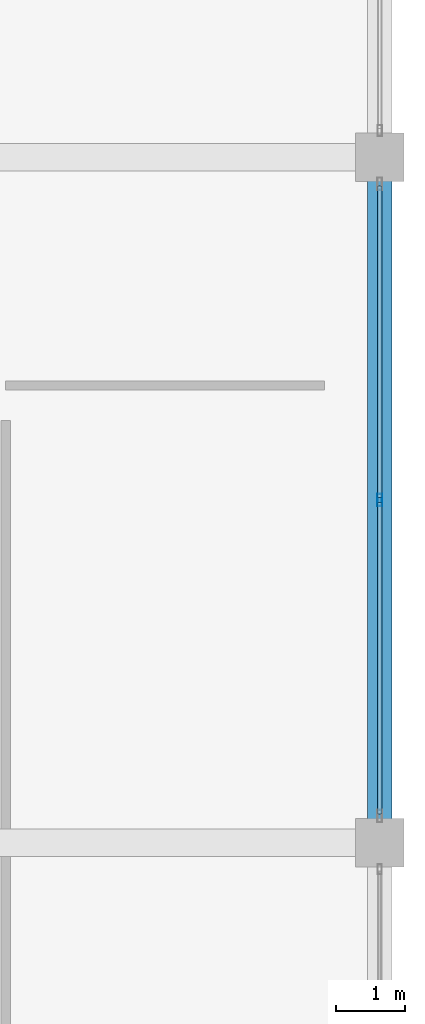
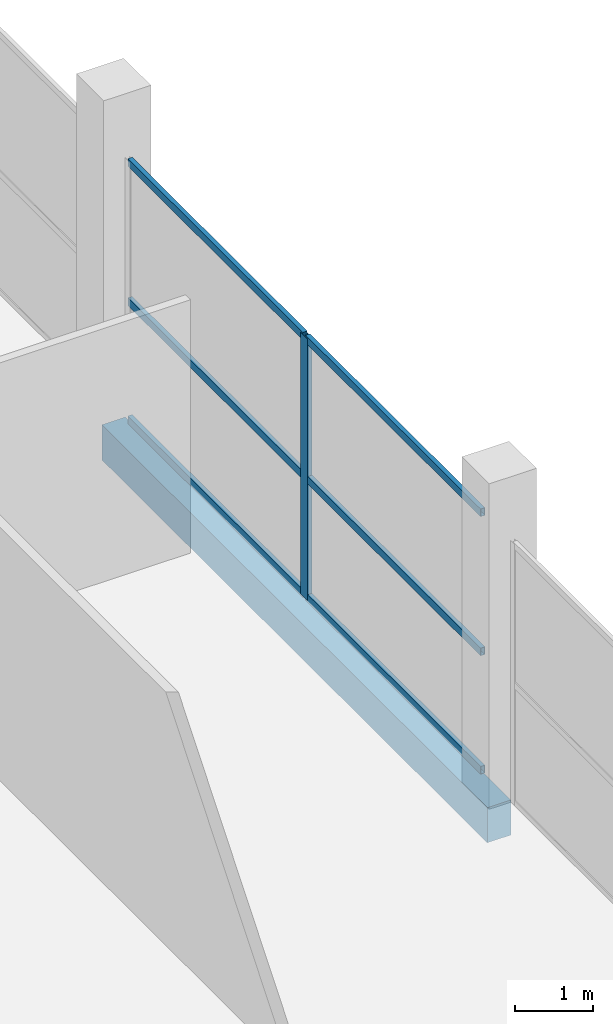
# One storey, part 35 of 67: 7 members, 1 beam, 1 element without a shape of its own.
"""IFC4 building model written with IfcOpenShell, lengths in metres."""

from ifc_helpers import new_model, si_unit, direction, frame, origin, origin_2d, place, context, subcontext, project, spatial, rectangle, hollow_rectangle, extrude, material, layer, layer_set, material_profile, profile_set, type_object, element, aggregate, save


model = new_model("IFC4")

# Units and contexts
model_context = context("Model", 3, precision=1e-05, world=origin(), true_north=direction((0.0, 1.0)))
body_context = subcontext(model_context, "Body", "Model", "MODEL_VIEW")
ifc_project = project(units=[si_unit("LENGTHUNIT", "METRE"), si_unit("AREAUNIT", "SQUARE_METRE"), si_unit("VOLUMEUNIT", "CUBIC_METRE"), si_unit("PLANEANGLEUNIT", "RADIAN"), si_unit("MASSUNIT", "GRAM", prefix="KILO")], contexts=[model_context])

# Site, building, storey
site_placement = place(None, origin())
site = spatial("IfcSite", under=ifc_project, at=site_placement, CompositionType="ELEMENT")
building_placement = place(site_placement, origin())
building = spatial("IfcBuilding", under=site, at=building_placement, Name="Sillaruma Civic Art Gallery", CompositionType="ELEMENT")
storey_placement = place(building_placement, frame((0.0, 0.0, 46.919921875)))
storey = spatial("IfcBuildingStorey", under=building, at=storey_placement, Name="L09", CompositionType="ELEMENT", Elevation=46.919921875)

# Beam
ifc_material_1 = material(Name="Concrete H35 (35 MPa)", Category="concrete")
ifc_material_profile_1 = material_profile(ifc_material_1, rectangle(XDim=0.35009765625, YDim=0.550048828125, at=origin_2d()), Name="RCB350x550")
ifc_profile_set_1 = profile_set([ifc_material_profile_1], Name="Concrete H35 (35 MPa)")
beam_type = type_object("IfcBeamType", Name="BM-SPANDREL-RCB350x550", PredefinedType="SPANDREL", material=ifc_profile_set_1)
beam_placement = place(storey_placement, frame((114.39990234375, 59.39990234375, -0.52490234375), z_axis=(0.0, 1.0, 0.0), x_axis=(-1.0, 0.0, 0.0)))
element("IfcBeam", 1, at=beam_placement, inside=storey, type_object=beam_type, Name="Beam BS-04 (L08:N:7-8)", PredefinedType="SPANDREL", context=body_context, shape_type="SweptSolid", body=[
    extrude(rectangle(XDim=0.35009765625, YDim=0.550048828125, at=origin_2d()), origin(), (0.0, 0.0, 1.0), 9.900146484375),
])

# Curtain wall, members
ifc_material_2 = material(Name="Thermally Broken Extruded Aluminium 6063-T6", Category="aluminium")
ifc_layer = layer(ifc_material_2, 0.179931640625, Name="Thermally Broken Extruded Aluminium 6063-T6")
ifc_layer_set = layer_set([ifc_layer], Name="Thermally Broken Extruded Aluminium 6063-T6")
curtain_wall_type = type_object("IfcCurtainWallType", Name="CW-UNI-72", PredefinedType="NOTDEFINED", material=ifc_layer_set)
curtain_wall_placement = place(storey_placement, origin())
curtain_wall = element("IfcCurtainWall", 2, at=curtain_wall_placement, inside=storey, type_object=curtain_wall_type, Name="Unitised Curtain Wall CW-72 (CW-L09-EBE-5)", PredefinedType="NOTDEFINED")
ifc_material_profile_2 = material_profile(ifc_material_2, hollow_rectangle(XDim=0.070068359375, YDim=0.179931640625, WallThickness=0.00390625, at=origin_2d()), Name="CWM70x180")
ifc_profile_set_2 = profile_set([ifc_material_profile_2], Name="Thermally Broken Extruded Aluminium 6063-T6")
member_type_1 = type_object("IfcMemberType", Name="MEM-MUL-CWM70x180", PredefinedType="MULLION", material=ifc_profile_set_2)
member_1_placement = place(storey_placement, frame((114.39990234375, 64.35009765625, 0.0), z_axis=(0.0, 0.0, 1.0), x_axis=(-1.0, 0.0, 0.0)))
member_1 = element("IfcMember", 3, at=member_1_placement, type_object=member_type_1, Name="CW-72 mullion 2", PredefinedType="MULLION", context=body_context, shape_type="SweptSolid", body=[
    extrude(hollow_rectangle(XDim=0.070068359375, YDim=0.179931640625, WallThickness=0.00390625, at=origin_2d()), origin(), (0.0, 0.0, 1.0), 4.10009765625),
])
ifc_material_profile_3 = material_profile(ifc_material_2, hollow_rectangle(XDim=0.06494140625, YDim=0.1201171875, WallThickness=0.00341796875, at=origin_2d()), Name="CWT65x120")
ifc_profile_set_3 = profile_set([ifc_material_profile_3], Name="Thermally Broken Extruded Aluminium 6063-T6")
member_type_2 = type_object("IfcMemberType", Name="MEM-TRN-CWT65x120", PredefinedType="USERDEFINED", material=ifc_profile_set_3)
member_2_placement = place(storey_placement, frame((114.39990234375, 59.820068359375, 0.032470703125), z_axis=(0.0, 1.0, 0.0), x_axis=(-1.0, 0.0, 0.0)))
member_2 = element("IfcMember", 4, at=member_2_placement, type_object=member_type_2, Name="CW-72 transom 1.1", ObjectType="TRANSOM", PredefinedType="USERDEFINED", context=body_context, shape_type="SweptSolid", body=[
    extrude(hollow_rectangle(XDim=0.06494140625, YDim=0.1201171875, WallThickness=0.00341796875, at=origin_2d()), origin(), (0.0, 0.0, 1.0), 4.494873046875),
])
member_3_placement = place(storey_placement, frame((114.39990234375, 59.820068359375, 1.885986328125), z_axis=(0.0, 1.0, 0.0), x_axis=(-1.0, 0.0, 0.0)))
member_3 = element("IfcMember", 5, at=member_3_placement, type_object=member_type_2, Name="CW-72 transom 1.2", ObjectType="TRANSOM", PredefinedType="USERDEFINED", context=body_context, shape_type="SweptSolid", body=[
    extrude(hollow_rectangle(XDim=0.06494140625, YDim=0.1201171875, WallThickness=0.00341796875, at=origin_2d()), origin(), (0.0, 0.0, 1.0), 4.494873046875),
])
member_4_placement = place(storey_placement, frame((114.39990234375, 59.820068359375, 4.067626953125), z_axis=(0.0, 1.0, 0.0), x_axis=(-1.0, 0.0, 0.0)))
member_4 = element("IfcMember", 6, at=member_4_placement, type_object=member_type_2, Name="CW-72 transom 1.3", ObjectType="TRANSOM", PredefinedType="USERDEFINED", context=body_context, shape_type="SweptSolid", body=[
    extrude(hollow_rectangle(XDim=0.06494140625, YDim=0.1201171875, WallThickness=0.00341796875, at=origin_2d()), origin(), (0.0, 0.0, 1.0), 4.494873046875),
])
member_5_placement = place(storey_placement, frame((114.39990234375, 64.385009765625, 0.032470703125), z_axis=(0.0, 1.0, 0.0), x_axis=(-1.0, 0.0, 0.0)))
member_5 = element("IfcMember", 7, at=member_5_placement, type_object=member_type_2, Name="CW-72 transom 2.1", ObjectType="TRANSOM", PredefinedType="USERDEFINED", context=body_context, shape_type="SweptSolid", body=[
    extrude(hollow_rectangle(XDim=0.06494140625, YDim=0.1201171875, WallThickness=0.00341796875, at=origin_2d()), origin(), (0.0, 0.0, 1.0), 4.494873046875),
])
member_6_placement = place(storey_placement, frame((114.39990234375, 64.385009765625, 1.885986328125), z_axis=(0.0, 1.0, 0.0), x_axis=(-1.0, 0.0, 0.0)))
member_6 = element("IfcMember", 8, at=member_6_placement, type_object=member_type_2, Name="CW-72 transom 2.2", ObjectType="TRANSOM", PredefinedType="USERDEFINED", context=body_context, shape_type="SweptSolid", body=[
    extrude(hollow_rectangle(XDim=0.06494140625, YDim=0.1201171875, WallThickness=0.00341796875, at=origin_2d()), origin(), (0.0, 0.0, 1.0), 4.494873046875),
])
member_7_placement = place(storey_placement, frame((114.39990234375, 64.385009765625, 4.067626953125), z_axis=(0.0, 1.0, 0.0), x_axis=(-1.0, 0.0, 0.0)))
member_7 = element("IfcMember", 9, at=member_7_placement, type_object=member_type_2, Name="CW-72 transom 2.3", ObjectType="TRANSOM", PredefinedType="USERDEFINED", context=body_context, shape_type="SweptSolid", body=[
    extrude(hollow_rectangle(XDim=0.06494140625, YDim=0.1201171875, WallThickness=0.00341796875, at=origin_2d()), origin(), (0.0, 0.0, 1.0), 4.494873046875),
])
aggregate(curtain_wall, [member_1, member_2, member_3, member_4, member_5, member_6, member_7])

save(model, "model.ifc")
